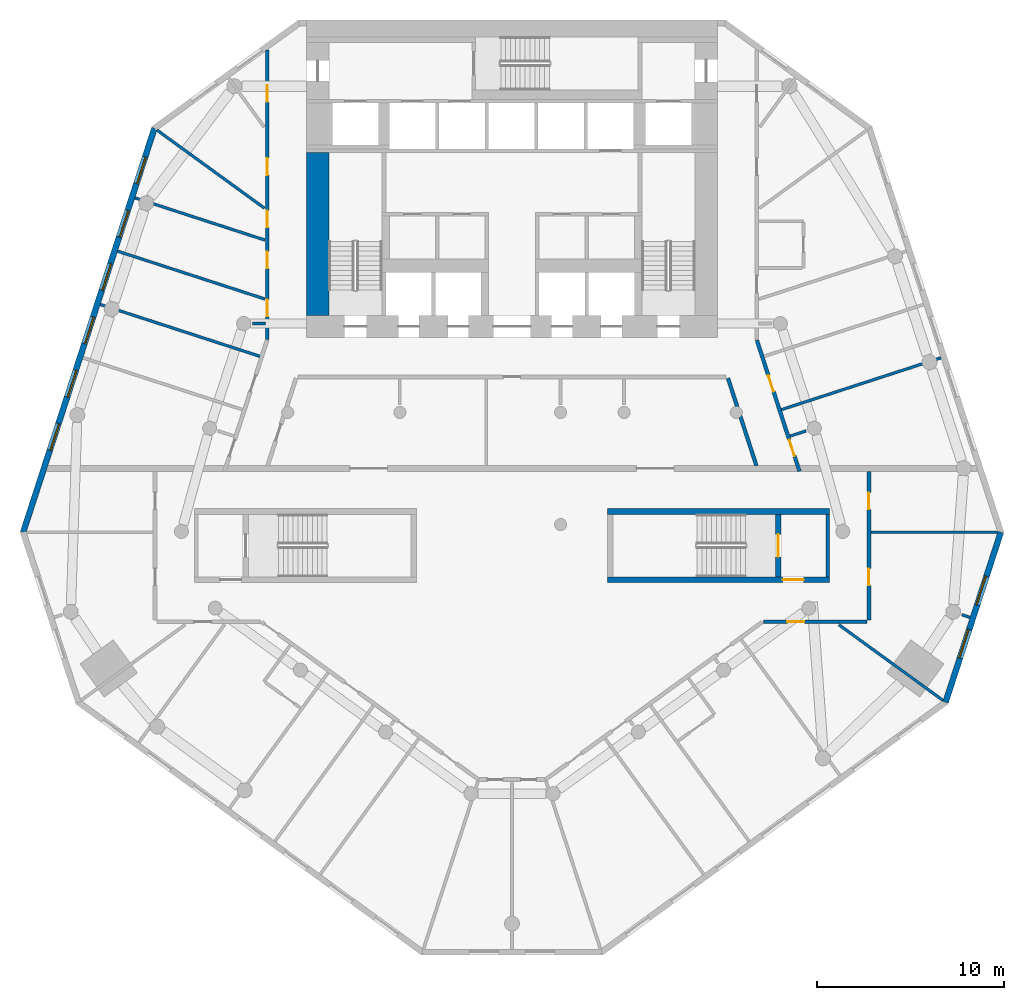
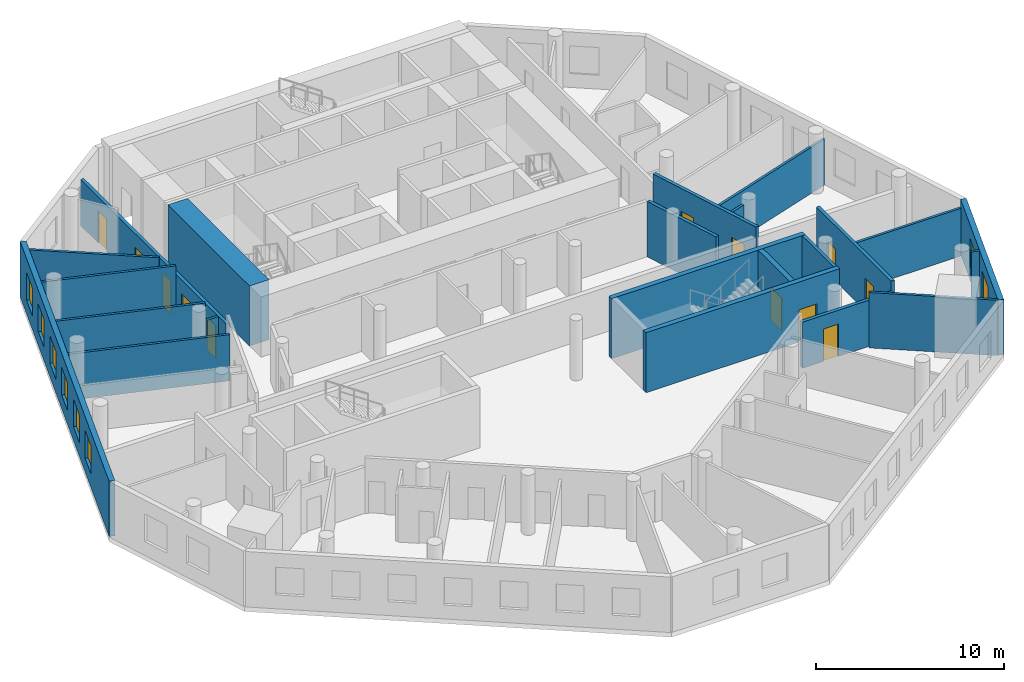
# One storey, part 4 of 9: 22 walls, 12 doors, 8 windows, 20 openings.
"""IFC4 building model written with IfcOpenShell, lengths in metres."""

from ifc_helpers import new_model, si_unit, direction, frame, frame_2d, origin, place, context, subcontext, project, spatial, rectangle, extrude, material, layer, layer_set, type_object, element, fill, save


model = new_model("IFC4")

# Units and contexts
model_context = context("Model", 3, precision=1e-05, world=origin(), true_north=direction((0.0, 1.0)))
body_context = subcontext(model_context, "Body", "Model", "MODEL_VIEW")
ifc_project = project(units=[si_unit("LENGTHUNIT", "METRE"), si_unit("AREAUNIT", "SQUARE_METRE"), si_unit("VOLUMEUNIT", "CUBIC_METRE"), si_unit("PLANEANGLEUNIT", "RADIAN"), si_unit("MASSUNIT", "GRAM", prefix="KILO")], contexts=[model_context])

# Site, building, storey
site_placement = place(None, origin())
site = spatial("IfcSite", under=ifc_project, at=site_placement, CompositionType="ELEMENT")
building_placement = place(site_placement, origin())
building = spatial("IfcBuilding", under=site, at=building_placement, Name="White Candle Pilgrim Tower", CompositionType="ELEMENT")
storey_placement = place(building_placement, frame((0.0, 0.0, 46.800048828125)))
storey = spatial("IfcBuildingStorey", under=building, at=storey_placement, Name="L08", CompositionType="ELEMENT", Elevation=46.800048828125)

# Wall
ifc_material_1 = material(Name="Concrete C70/85", Category="concrete")
ifc_layer_1 = layer(ifc_material_1, 0.199951171875)
ifc_layer_set_1 = layer_set([ifc_layer_1], Name="Core wall 200 mm Concrete C70/85")
wall_type_1 = type_object("IfcWallType", Name="Core wall 200 mm Concrete C70/85", PredefinedType="SHEAR", material=ifc_layer_set_1)
wall_1_placement = place(storey_placement, frame((86.89990234375, 58.199951171875, 0.0), z_axis=(0.0, 0.0, 1.0), x_axis=(0.0, 1.0, 0.0)))
element("IfcWall", 1, at=wall_1_placement, inside=storey, type_object=wall_type_1, Name="WL-L08-C08", PredefinedType="SHEAR", context=body_context, shape_type="SweptSolid", body=[
    extrude(rectangle(XDim=3.35009765625, YDim=0.199951171875, at=frame_2d((1.675048828125, 0.0))), origin(), (0.0, 0.0, 1.0), 3.89990234375),
])

# Wall, openings, doors
ifc_material_2 = material(Name="Gypsum board on steel studs", Category="steel")
ifc_layer_2 = layer(ifc_material_2, 0.199951171875)
ifc_layer_set_2 = layer_set([ifc_layer_2], Name="Corridor wall 200 mm EI 45")
wall_type_2 = type_object("IfcWallType", Name="Corridor wall 200 mm EI 45", PredefinedType="PARTITIONING", material=ifc_layer_set_2)
wall_2_placement = place(storey_placement, frame((56.89990234375, 70.8974609375, 0.0), z_axis=(0.0, 0.0, 1.0), x_axis=(0.0, 1.0, 0.0)))
wall_2 = element("IfcWall", 2, at=wall_2_placement, inside=storey, type_object=wall_type_2, Name="WL-L08-P003", PredefinedType="PARTITIONING", context=body_context, shape_type="SweptSolid", body=[
    extrude(rectangle(XDim=15.498779296875, YDim=0.199951171875, at=frame_2d((7.74951171875, 0.0))), origin(), (0.0, 0.0, 1.0), 3.0),
])
opening_1_placement = place(wall_2_placement, frame((1.242919921875, 0.0, 0.0)))
opening_1 = element("IfcOpeningElement", 3, at=opening_1_placement, cuts=wall_2, Name="Opening T02-122", PredefinedType="OPENING", context=body_context, shape_type="SweptSolid", body=[
    extrude(rectangle(XDim=0.89990234375, YDim=2.10009765625, at=frame_2d((0.449951171875, 1.050048828125))), frame((0.0, 0.10986328125, 0.0), z_axis=(0.0, -1.0, 0.0), x_axis=(1.0, 0.0, 0.0)), (0.0, 0.0, 1.0), 0.219970703125),
])
opening_2_placement = place(wall_2_placement, frame((3.813232421875, 0.0, 0.0)))
opening_2 = element("IfcOpeningElement", 4, at=opening_2_placement, cuts=wall_2, Name="Opening T02-123", PredefinedType="OPENING", context=body_context, shape_type="SweptSolid", body=[
    extrude(rectangle(XDim=0.89990234375, YDim=2.10009765625, at=frame_2d((0.449951171875, 1.050048828125))), frame((0.0, 0.10986328125, 0.0), z_axis=(0.0, -1.0, 0.0), x_axis=(1.0, 0.0, 0.0)), (0.0, 0.0, 1.0), 0.219970703125),
])
opening_3_placement = place(wall_2_placement, frame((6.005615234375, 0.0, 0.0)))
opening_3 = element("IfcOpeningElement", 5, at=opening_3_placement, cuts=wall_2, Name="Opening T02-124", PredefinedType="OPENING", context=body_context, shape_type="SweptSolid", body=[
    extrude(rectangle(XDim=0.89990234375, YDim=2.10009765625, at=frame_2d((0.449951171875, 1.050048828125))), frame((0.0, 0.10986328125, 0.0), z_axis=(0.0, -1.0, 0.0), x_axis=(1.0, 0.0, 0.0)), (0.0, 0.0, 1.0), 0.219970703125),
])
opening_4_placement = place(wall_2_placement, frame((8.80615234375, 0.0, 0.0)))
opening_4 = element("IfcOpeningElement", 6, at=opening_4_placement, cuts=wall_2, Name="Opening T02-125", PredefinedType="OPENING", context=body_context, shape_type="SweptSolid", body=[
    extrude(rectangle(XDim=0.89990234375, YDim=2.10009765625, at=frame_2d((0.449951171875, 1.050048828125))), frame((0.0, 0.10986328125, 0.0), z_axis=(0.0, -1.0, 0.0), x_axis=(1.0, 0.0, 0.0)), (0.0, 0.0, 1.0), 0.219970703125),
])
opening_5_placement = place(wall_2_placement, frame((12.72412109375, 0.0, 0.0)))
opening_5 = element("IfcOpeningElement", 7, at=opening_5_placement, cuts=wall_2, Name="Opening T02-126", PredefinedType="OPENING", context=body_context, shape_type="SweptSolid", body=[
    extrude(rectangle(XDim=0.89990234375, YDim=2.10009765625, at=frame_2d((0.449951171875, 1.050048828125))), frame((0.0, 0.10986328125, 0.0), z_axis=(0.0, -1.0, 0.0), x_axis=(1.0, 0.0, 0.0)), (0.0, 0.0, 1.0), 0.219970703125),
])
ifc_material_3 = material(Name="Steel door leaf", Category="steel")
door_type_1 = type_object("IfcDoorType", Name="Fire door 900 x 2100 EI 30", OperationType="NOTDEFINED", PredefinedType="DOOR", material=ifc_material_3)
door_1_placement = place(opening_1_placement, origin())
door_1 = element("IfcDoor", 8, at=door_1_placement, inside=storey, type_object=door_type_1, Name="Door T02-122", OperationType="SINGLE_SWING_RIGHT", OverallHeight=2.10009765625, OverallWidth=0.89990234375, PredefinedType="DOOR", context=body_context, shape_type="SweptSolid", body=[
    extrude(rectangle(XDim=0.89990234375, YDim=2.10009765625, at=frame_2d((0.449951171875, 1.050048828125))), frame((0.0, 0.02490234375, 0.0), z_axis=(0.0, -1.0, 0.0), x_axis=(1.0, 0.0, 0.0)), (0.0, 0.0, 1.0), 0.050048828125),
])
fill(opening_1, door_1)
door_2_placement = place(opening_2_placement, origin())
door_2 = element("IfcDoor", 9, at=door_2_placement, inside=storey, type_object=door_type_1, Name="Door T02-123", OperationType="SINGLE_SWING_LEFT", OverallHeight=2.10009765625, OverallWidth=0.89990234375, PredefinedType="DOOR", context=body_context, shape_type="SweptSolid", body=[
    extrude(rectangle(XDim=0.89990234375, YDim=2.10009765625, at=frame_2d((0.449951171875, 1.050048828125))), frame((0.0, 0.02490234375, 0.0), z_axis=(0.0, -1.0, 0.0), x_axis=(1.0, 0.0, 0.0)), (0.0, 0.0, 1.0), 0.050048828125),
])
fill(opening_2, door_2)
door_3_placement = place(opening_3_placement, origin())
door_3 = element("IfcDoor", 10, at=door_3_placement, inside=storey, type_object=door_type_1, Name="Door T02-124", OperationType="SINGLE_SWING_RIGHT", OverallHeight=2.10009765625, OverallWidth=0.89990234375, PredefinedType="DOOR", context=body_context, shape_type="SweptSolid", body=[
    extrude(rectangle(XDim=0.89990234375, YDim=2.10009765625, at=frame_2d((0.449951171875, 1.050048828125))), frame((0.0, 0.02490234375, 0.0), z_axis=(0.0, -1.0, 0.0), x_axis=(1.0, 0.0, 0.0)), (0.0, 0.0, 1.0), 0.050048828125),
])
fill(opening_3, door_3)
door_4_placement = place(opening_4_placement, origin())
door_4 = element("IfcDoor", 11, at=door_4_placement, inside=storey, type_object=door_type_1, Name="Door T02-125", OperationType="SINGLE_SWING_LEFT", OverallHeight=2.10009765625, OverallWidth=0.89990234375, PredefinedType="DOOR", context=body_context, shape_type="SweptSolid", body=[
    extrude(rectangle(XDim=0.89990234375, YDim=2.10009765625, at=frame_2d((0.449951171875, 1.050048828125))), frame((0.0, 0.02490234375, 0.0), z_axis=(0.0, -1.0, 0.0), x_axis=(1.0, 0.0, 0.0)), (0.0, 0.0, 1.0), 0.050048828125),
])
fill(opening_4, door_4)
door_5_placement = place(opening_5_placement, origin())
door_5 = element("IfcDoor", 12, at=door_5_placement, inside=storey, type_object=door_type_1, Name="Door T02-126", OperationType="SINGLE_SWING_RIGHT", OverallHeight=2.10009765625, OverallWidth=0.89990234375, PredefinedType="DOOR", context=body_context, shape_type="SweptSolid", body=[
    extrude(rectangle(XDim=0.89990234375, YDim=2.10009765625, at=frame_2d((0.449951171875, 1.050048828125))), frame((0.0, 0.02490234375, 0.0), z_axis=(0.0, -1.0, 0.0), x_axis=(1.0, 0.0, 0.0)), (0.0, 0.0, 1.0), 0.050048828125),
])
fill(opening_5, door_5)

wall_3_placement = place(storey_placement, frame((83.10498046875, 70.866455078125, 0.0), z_axis=(0.0, 0.0, 1.0), x_axis=(0.309020970938, -0.951055224222, 0.0)))
wall_3 = element("IfcWall", 13, at=wall_3_placement, inside=storey, type_object=wall_type_2, Name="WL-L08-P005", PredefinedType="PARTITIONING", context=body_context, shape_type="SweptSolid", body=[
    extrude(rectangle(XDim=7.37744140625, YDim=0.199951171875, at=frame_2d((3.688720703125, 0.0))), origin(), (0.0, 0.0, 1.0), 3.599853515625),
])
opening_6_placement = place(wall_3_placement, frame((1.990966796875, 0.0, 0.0)))
opening_6 = element("IfcOpeningElement", 14, at=opening_6_placement, cuts=wall_3, Name="Opening T02-130", PredefinedType="OPENING", context=body_context, shape_type="SweptSolid", body=[
    extrude(rectangle(XDim=0.89990234375, YDim=2.10009765625, at=frame_2d((0.449951171875, 1.050048828125))), frame((0.0, 0.10986328125, 0.0), z_axis=(0.0, -1.0, 0.0), x_axis=(1.0, 0.0, 0.0)), (0.0, 0.0, 1.0), 0.219970703125),
])
opening_7_placement = place(wall_3_placement, frame((5.619140625, 0.0, 0.0)))
opening_7 = element("IfcOpeningElement", 15, at=opening_7_placement, cuts=wall_3, Name="Opening T02-131", PredefinedType="OPENING", context=body_context, shape_type="SweptSolid", body=[
    extrude(rectangle(XDim=0.89990234375, YDim=2.10009765625, at=frame_2d((0.449951171875, 1.050048828125))), frame((0.0, 0.10986328125, 0.0), z_axis=(0.0, -1.0, 0.0), x_axis=(1.0, 0.0, 0.0)), (0.0, 0.0, 1.0), 0.219970703125),
])
door_6_placement = place(opening_6_placement, origin())
door_6 = element("IfcDoor", 16, at=door_6_placement, inside=storey, type_object=door_type_1, Name="Door T02-130", OperationType="SINGLE_SWING_RIGHT", OverallHeight=2.10009765625, OverallWidth=0.89990234375, PredefinedType="DOOR", context=body_context, shape_type="SweptSolid", body=[
    extrude(rectangle(XDim=0.89990234375, YDim=2.10009765625, at=frame_2d((0.449951171875, 1.050048828125))), frame((0.0, 0.02490234375, 0.0), z_axis=(0.0, -1.0, 0.0), x_axis=(1.0, 0.0, 0.0)), (0.0, 0.0, 1.0), 0.050048828125),
])
fill(opening_6, door_6)
door_7_placement = place(opening_7_placement, origin())
door_7 = element("IfcDoor", 17, at=door_7_placement, inside=storey, type_object=door_type_1, Name="Door T02-131", OperationType="SINGLE_SWING_LEFT", OverallHeight=2.10009765625, OverallWidth=0.89990234375, PredefinedType="DOOR", context=body_context, shape_type="SweptSolid", body=[
    extrude(rectangle(XDim=0.89990234375, YDim=2.10009765625, at=frame_2d((0.449951171875, 1.050048828125))), frame((0.0, 0.02490234375, 0.0), z_axis=(0.0, -1.0, 0.0), x_axis=(1.0, 0.0, 0.0)), (0.0, 0.0, 1.0), 0.050048828125),
])
fill(opening_7, door_7)

wall_4_placement = place(storey_placement, frame((89.10009765625, 63.85009765625, 0.0), z_axis=(0.0, 0.0, 1.0), x_axis=(0.0, -1.0, 0.0)))
wall_4 = element("IfcWall", 18, at=wall_4_placement, inside=storey, type_object=wall_type_2, Name="WL-L08-P006", PredefinedType="PARTITIONING", context=body_context, shape_type="SweptSolid", body=[
    extrude(rectangle(XDim=7.9501953125, YDim=0.199951171875, at=frame_2d((3.97509765625, 0.0))), origin(), (0.0, 0.0, 1.0), 3.599853515625),
])
opening_8_placement = place(wall_4_placement, frame((5.204345703125, 0.0, 0.0)))
opening_8 = element("IfcOpeningElement", 19, at=opening_8_placement, cuts=wall_4, Name="Opening T02-115", PredefinedType="OPENING", context=body_context, shape_type="SweptSolid", body=[
    extrude(rectangle(XDim=0.89990234375, YDim=2.10009765625, at=frame_2d((0.449951171875, 1.050048828125))), frame((0.0, 0.10986328125, 0.0), z_axis=(0.0, -1.0, 0.0), x_axis=(1.0, 0.0, 0.0)), (0.0, 0.0, 1.0), 0.219970703125),
])
opening_9_placement = place(wall_4_placement, frame((1.141845703125, 0.0, 0.0)))
opening_9 = element("IfcOpeningElement", 20, at=opening_9_placement, cuts=wall_4, Name="Opening T02-132", PredefinedType="OPENING", context=body_context, shape_type="SweptSolid", body=[
    extrude(rectangle(XDim=0.89990234375, YDim=2.10009765625, at=frame_2d((0.449951171875, 1.050048828125))), frame((0.0, 0.10986328125, 0.0), z_axis=(0.0, -1.0, 0.0), x_axis=(1.0, 0.0, 0.0)), (0.0, 0.0, 1.0), 0.219970703125),
])
door_8_placement = place(opening_8_placement, origin())
door_8 = element("IfcDoor", 21, at=door_8_placement, inside=storey, type_object=door_type_1, Name="Door T02-115", OperationType="SINGLE_SWING_LEFT", OverallHeight=2.10009765625, OverallWidth=0.89990234375, PredefinedType="DOOR", context=body_context, shape_type="SweptSolid", body=[
    extrude(rectangle(XDim=0.89990234375, YDim=2.10009765625, at=frame_2d((0.449951171875, 1.050048828125))), frame((0.0, 0.02490234375, 0.0), z_axis=(0.0, -1.0, 0.0), x_axis=(1.0, 0.0, 0.0)), (0.0, 0.0, 1.0), 0.050048828125),
])
fill(opening_8, door_8)
door_9_placement = place(opening_9_placement, origin())
door_9 = element("IfcDoor", 22, at=door_9_placement, inside=storey, type_object=door_type_1, Name="Door T02-132", OperationType="SINGLE_SWING_RIGHT", OverallHeight=2.10009765625, OverallWidth=0.89990234375, PredefinedType="DOOR", context=body_context, shape_type="SweptSolid", body=[
    extrude(rectangle(XDim=0.89990234375, YDim=2.10009765625, at=frame_2d((0.449951171875, 1.050048828125))), frame((0.0, 0.02490234375, 0.0), z_axis=(0.0, -1.0, 0.0), x_axis=(1.0, 0.0, 0.0)), (0.0, 0.0, 1.0), 0.050048828125),
])
fill(opening_9, door_9)

# Wall, opening, door
wall_5_placement = place(storey_placement, frame((89.0, 55.800048828125, 0.0), z_axis=(0.0, 0.0, 1.0), x_axis=(-1.0, 0.0, 0.0)))
wall_5 = element("IfcWall", 23, at=wall_5_placement, inside=storey, type_object=wall_type_2, Name="WL-L08-P007", PredefinedType="PARTITIONING", context=body_context, shape_type="SweptSolid", body=[
    extrude(rectangle(XDim=5.55419921875, YDim=0.199951171875, at=frame_2d((2.777099609375, 0.0))), origin(), (0.0, 0.0, 1.0), 3.0),
])
opening_10_placement = place(wall_5_placement, frame((3.35791015625, 0.0, 0.0)))
opening_10 = element("IfcOpeningElement", 24, at=opening_10_placement, cuts=wall_5, Name="Opening T02-114", PredefinedType="OPENING", context=body_context, shape_type="SweptSolid", body=[
    extrude(rectangle(XDim=0.89990234375, YDim=2.10009765625, at=frame_2d((0.449951171875, 1.050048828125))), frame((0.0, 0.10986328125, 0.0), z_axis=(0.0, -1.0, 0.0), x_axis=(1.0, 0.0, 0.0)), (0.0, 0.0, 1.0), 0.219970703125),
])
door_10_placement = place(opening_10_placement, origin())
door_10 = element("IfcDoor", 25, at=door_10_placement, inside=storey, type_object=door_type_1, Name="Door T02-114", OperationType="SINGLE_SWING_RIGHT", OverallHeight=2.10009765625, OverallWidth=0.89990234375, PredefinedType="DOOR", context=body_context, shape_type="SweptSolid", body=[
    extrude(rectangle(XDim=0.89990234375, YDim=2.10009765625, at=frame_2d((0.449951171875, 1.050048828125))), frame((0.0, 0.02490234375, 0.0), z_axis=(0.0, -1.0, 0.0), x_axis=(1.0, 0.0, 0.0)), (0.0, 0.0, 1.0), 0.050048828125),
])
fill(opening_10, door_10)

# Wall
wall_6_placement = place(storey_placement, frame((83.0791015625, 64.14990234375, 0.0), z_axis=(0.0, 0.0, 1.0), x_axis=(-0.309031112369, 0.951051928965, 0.0)))
element("IfcWall", 26, at=wall_6_placement, inside=storey, type_object=wall_type_2, Name="WL-L08-P015", PredefinedType="PARTITIONING", context=body_context, shape_type="SweptSolid", body=[
    extrude(rectangle(XDim=4.921875, YDim=0.199951171875, at=frame_2d((2.4609375, 0.0))), origin(), (0.0, 0.0, 1.0), 3.599853515625),
])

# Wall, openings, windows
ifc_material_4 = material(Name="Precast concrete C40/50", Category="concrete")
ifc_layer_3 = layer(ifc_material_4, 0.320068359375)
ifc_layer_set_3 = layer_set([ifc_layer_3], Name="Facade wall EW1 precast concrete C40/50 pier wall with timber-lined reveals")
wall_type_3 = type_object("IfcWallType", Name="Facade wall EW1 precast concrete C40/50 pier wall with timber-lined reveals", PredefinedType="SOLIDWALL", material=ifc_layer_set_3)
wall_7_placement = place(storey_placement, frame((93.2021484375, 51.49072265625, 0.0), z_axis=(0.0, 0.0, 1.0), x_axis=(0.309023765379, 0.951054316236, 0.0)))
wall_7 = element("IfcWall", 27, at=wall_7_placement, inside=storey, type_object=wall_type_3, Name="Facade wall L08 E chamfer", PredefinedType="SOLIDWALL", context=body_context, shape_type="SweptSolid", body=[
    extrude(rectangle(XDim=9.56884765625, YDim=0.320068359375, at=frame_2d((4.784423828125, 0.0))), origin(), (0.0, 0.0, 1.0), 3.599853515625),
])
opening_11_placement = place(wall_7_placement, frame((2.484375, 0.0, 0.89990234375)))
opening_11 = element("IfcOpeningElement", 28, at=opening_11_placement, cuts=wall_7, Name="Opening W2", PredefinedType="OPENING", context=body_context, shape_type="SweptSolid", body=[
    extrude(rectangle(XDim=1.60009765625, YDim=1.800048828125, at=frame_2d((0.800048828125, 0.89990234375))), frame((0.0, 0.169921875, 0.0), z_axis=(0.0, -1.0, 0.0), x_axis=(1.0, 0.0, 0.0)), (0.0, 0.0, 1.0), 0.340087890625),
])
opening_12_placement = place(wall_7_placement, frame((5.484375, 0.0, 0.89990234375)))
opening_12 = element("IfcOpeningElement", 29, at=opening_12_placement, cuts=wall_7, Name="Opening W2", PredefinedType="OPENING", context=body_context, shape_type="SweptSolid", body=[
    extrude(rectangle(XDim=1.60009765625, YDim=1.800048828125, at=frame_2d((0.800048828125, 0.89990234375))), frame((0.0, 0.169921875, 0.0), z_axis=(0.0, -1.0, 0.0), x_axis=(1.0, 0.0, 0.0)), (0.0, 0.0, 1.0), 0.340087890625),
])
ifc_material_5 = material(Name="Timber frame with triple glazing", Category="wood")
window_type_1 = type_object("IfcWindowType", Name="Window W2 1600x1800 timber frame triple glazing", PartitioningType="SINGLE_PANEL", PredefinedType="WINDOW", material=ifc_material_5)
window_1_placement = place(opening_11_placement, origin())
window_1 = element("IfcWindow", 30, at=window_1_placement, inside=storey, type_object=window_type_1, Name="Window W2 L08 E chamfer 1", OverallHeight=1.800048828125, OverallWidth=1.60009765625, PartitioningType="SINGLE_PANEL", PredefinedType="WINDOW", context=body_context, shape_type="SweptSolid", body=[
    extrude(rectangle(XDim=1.60009765625, YDim=1.800048828125, at=frame_2d((0.800048828125, 0.89990234375))), frame((0.0, 0.070068359375, 0.0), z_axis=(0.0, -1.0, 0.0), x_axis=(1.0, 0.0, 0.0)), (0.0, 0.0, 1.0), 0.06005859375),
])
fill(opening_11, window_1)
window_2_placement = place(opening_12_placement, origin())
window_2 = element("IfcWindow", 31, at=window_2_placement, inside=storey, type_object=window_type_1, Name="Window W2 L08 E chamfer 2", OverallHeight=1.800048828125, OverallWidth=1.60009765625, PartitioningType="SINGLE_PANEL", PredefinedType="WINDOW", context=body_context, shape_type="SweptSolid", body=[
    extrude(rectangle(XDim=1.60009765625, YDim=1.800048828125, at=frame_2d((0.800048828125, 0.89990234375))), frame((0.0, 0.070068359375, 0.0), z_axis=(0.0, -1.0, 0.0), x_axis=(1.0, 0.0, 0.0)), (0.0, 0.0, 1.0), 0.06005859375),
])
fill(opening_12, window_2)

wall_8_placement = place(storey_placement, frame((50.864990234375, 82.20947265625, 0.0), z_axis=(0.0, 0.0, 1.0), x_axis=(-0.309017098694, -0.9510564824, 0.0)))
wall_8 = element("IfcWall", 32, at=wall_8_placement, inside=storey, type_object=wall_type_3, Name="Facade wall L08 WNW", PredefinedType="SOLIDWALL", context=body_context, shape_type="SweptSolid", body=[
    extrude(rectangle(XDim=22.730712890625, YDim=0.320068359375, at=frame_2d((11.365234375, 0.0))), origin(), (0.0, 0.0, 1.0), 3.599853515625),
])
opening_13_placement = place(wall_8_placement, frame((1.615478515625, 0.0, 0.89990234375)))
opening_13 = element("IfcOpeningElement", 33, at=opening_13_placement, cuts=wall_8, Name="Opening W1", PredefinedType="OPENING", context=body_context, shape_type="SweptSolid", body=[
    extrude(rectangle(XDim=1.5, YDim=1.800048828125, at=frame_2d((0.75, 0.89990234375))), frame((0.0, 0.169921875, 0.0), z_axis=(0.0, -1.0, 0.0), x_axis=(1.0, 0.0, 0.0)), (0.0, 0.0, 1.0), 0.340087890625),
])
opening_14_placement = place(wall_8_placement, frame((4.615478515625, 0.0, 0.89990234375)))
opening_14 = element("IfcOpeningElement", 34, at=opening_14_placement, cuts=wall_8, Name="Opening W1", PredefinedType="OPENING", context=body_context, shape_type="SweptSolid", body=[
    extrude(rectangle(XDim=1.5, YDim=1.800048828125, at=frame_2d((0.75, 0.89990234375))), frame((0.0, 0.169921875, 0.0), z_axis=(0.0, -1.0, 0.0), x_axis=(1.0, 0.0, 0.0)), (0.0, 0.0, 1.0), 0.340087890625),
])
opening_15_placement = place(wall_8_placement, frame((7.615478515625, 0.0, 0.89990234375)))
opening_15 = element("IfcOpeningElement", 35, at=opening_15_placement, cuts=wall_8, Name="Opening W1", PredefinedType="OPENING", context=body_context, shape_type="SweptSolid", body=[
    extrude(rectangle(XDim=1.5, YDim=1.800048828125, at=frame_2d((0.75, 0.89990234375))), frame((0.0, 0.169921875, 0.0), z_axis=(0.0, -1.0, 0.0), x_axis=(1.0, 0.0, 0.0)), (0.0, 0.0, 1.0), 0.340087890625),
])
opening_16_placement = place(wall_8_placement, frame((10.615478515625, 0.0, 0.89990234375)))
opening_16 = element("IfcOpeningElement", 36, at=opening_16_placement, cuts=wall_8, Name="Opening W1", PredefinedType="OPENING", context=body_context, shape_type="SweptSolid", body=[
    extrude(rectangle(XDim=1.5, YDim=1.800048828125, at=frame_2d((0.75, 0.89990234375))), frame((0.0, 0.169921875, 0.0), z_axis=(0.0, -1.0, 0.0), x_axis=(1.0, 0.0, 0.0)), (0.0, 0.0, 1.0), 0.340087890625),
])
opening_17_placement = place(wall_8_placement, frame((13.615478515625, 0.0, 0.89990234375)))
opening_17 = element("IfcOpeningElement", 37, at=opening_17_placement, cuts=wall_8, Name="Opening W1", PredefinedType="OPENING", context=body_context, shape_type="SweptSolid", body=[
    extrude(rectangle(XDim=1.5, YDim=1.800048828125, at=frame_2d((0.75, 0.89990234375))), frame((0.0, 0.169921875, 0.0), z_axis=(0.0, -1.0, 0.0), x_axis=(1.0, 0.0, 0.0)), (0.0, 0.0, 1.0), 0.340087890625),
])
opening_18_placement = place(wall_8_placement, frame((16.615478515625, 0.0, 0.89990234375)))
opening_18 = element("IfcOpeningElement", 38, at=opening_18_placement, cuts=wall_8, Name="Opening W1", PredefinedType="OPENING", context=body_context, shape_type="SweptSolid", body=[
    extrude(rectangle(XDim=1.5, YDim=1.800048828125, at=frame_2d((0.75, 0.89990234375))), frame((0.0, 0.169921875, 0.0), z_axis=(0.0, -1.0, 0.0), x_axis=(1.0, 0.0, 0.0)), (0.0, 0.0, 1.0), 0.340087890625),
])
window_type_2 = type_object("IfcWindowType", Name="Window W1 1500x1800 timber frame triple glazing", PartitioningType="SINGLE_PANEL", PredefinedType="WINDOW", material=ifc_material_5)
window_3_placement = place(opening_13_placement, origin())
window_3 = element("IfcWindow", 39, at=window_3_placement, inside=storey, type_object=window_type_2, Name="Window W1 L08 WNW 1", OverallHeight=1.800048828125, OverallWidth=1.5, PartitioningType="SINGLE_PANEL", PredefinedType="WINDOW", context=body_context, shape_type="SweptSolid", body=[
    extrude(rectangle(XDim=1.5, YDim=1.800048828125, at=frame_2d((0.75, 0.89990234375))), frame((0.0, 0.070068359375, 0.0), z_axis=(0.0, -1.0, 0.0), x_axis=(1.0, 0.0, 0.0)), (0.0, 0.0, 1.0), 0.06005859375),
])
fill(opening_13, window_3)
window_4_placement = place(opening_14_placement, origin())
window_4 = element("IfcWindow", 40, at=window_4_placement, inside=storey, type_object=window_type_2, Name="Window W1 L08 WNW 2", OverallHeight=1.800048828125, OverallWidth=1.5, PartitioningType="SINGLE_PANEL", PredefinedType="WINDOW", context=body_context, shape_type="SweptSolid", body=[
    extrude(rectangle(XDim=1.5, YDim=1.800048828125, at=frame_2d((0.75, 0.89990234375))), frame((0.0, 0.070068359375, 0.0), z_axis=(0.0, -1.0, 0.0), x_axis=(1.0, 0.0, 0.0)), (0.0, 0.0, 1.0), 0.06005859375),
])
fill(opening_14, window_4)
window_5_placement = place(opening_15_placement, origin())
window_5 = element("IfcWindow", 41, at=window_5_placement, inside=storey, type_object=window_type_2, Name="Window W1 L08 WNW 3", OverallHeight=1.800048828125, OverallWidth=1.5, PartitioningType="SINGLE_PANEL", PredefinedType="WINDOW", context=body_context, shape_type="SweptSolid", body=[
    extrude(rectangle(XDim=1.5, YDim=1.800048828125, at=frame_2d((0.75, 0.89990234375))), frame((0.0, 0.070068359375, 0.0), z_axis=(0.0, -1.0, 0.0), x_axis=(1.0, 0.0, 0.0)), (0.0, 0.0, 1.0), 0.06005859375),
])
fill(opening_15, window_5)
window_6_placement = place(opening_16_placement, origin())
window_6 = element("IfcWindow", 42, at=window_6_placement, inside=storey, type_object=window_type_2, Name="Window W1 L08 WNW 4", OverallHeight=1.800048828125, OverallWidth=1.5, PartitioningType="SINGLE_PANEL", PredefinedType="WINDOW", context=body_context, shape_type="SweptSolid", body=[
    extrude(rectangle(XDim=1.5, YDim=1.800048828125, at=frame_2d((0.75, 0.89990234375))), frame((0.0, 0.070068359375, 0.0), z_axis=(0.0, -1.0, 0.0), x_axis=(1.0, 0.0, 0.0)), (0.0, 0.0, 1.0), 0.06005859375),
])
fill(opening_16, window_6)
window_7_placement = place(opening_17_placement, origin())
window_7 = element("IfcWindow", 43, at=window_7_placement, inside=storey, type_object=window_type_2, Name="Window W1 L08 WNW 5", OverallHeight=1.800048828125, OverallWidth=1.5, PartitioningType="SINGLE_PANEL", PredefinedType="WINDOW", context=body_context, shape_type="SweptSolid", body=[
    extrude(rectangle(XDim=1.5, YDim=1.800048828125, at=frame_2d((0.75, 0.89990234375))), frame((0.0, 0.070068359375, 0.0), z_axis=(0.0, -1.0, 0.0), x_axis=(1.0, 0.0, 0.0)), (0.0, 0.0, 1.0), 0.06005859375),
])
fill(opening_17, window_7)
window_8_placement = place(opening_18_placement, origin())
window_8 = element("IfcWindow", 44, at=window_8_placement, inside=storey, type_object=window_type_2, Name="Window W1 L08 WNW 6", OverallHeight=1.800048828125, OverallWidth=1.5, PartitioningType="SINGLE_PANEL", PredefinedType="WINDOW", context=body_context, shape_type="SweptSolid", body=[
    extrude(rectangle(XDim=1.5, YDim=1.800048828125, at=frame_2d((0.75, 0.89990234375))), frame((0.0, 0.070068359375, 0.0), z_axis=(0.0, -1.0, 0.0), x_axis=(1.0, 0.0, 0.0)), (0.0, 0.0, 1.0), 0.06005859375),
])
fill(opening_18, window_8)

# Walls
ifc_layer_4 = layer(ifc_material_2, 0.14990234375)
ifc_layer_set_4 = layer_set([ifc_layer_4], Name="Partition 150 mm EI 60")
wall_type_4 = type_object("IfcWallType", Name="Partition 150 mm EI 60", PredefinedType="PARTITIONING", material=ifc_layer_set_4)
wall_9_placement = place(storey_placement, frame((51.001220703125, 82.110595703125, 0.0), z_axis=(0.0, 0.0, 1.0), x_axis=(0.809006123185, -0.587800214911, 0.0)))
element("IfcWall", 45, at=wall_9_placement, inside=storey, type_object=wall_type_4, Name="WL-L08-P016", PredefinedType="PARTITIONING", context=body_context, shape_type="SweptSolid", body=[
    extrude(rectangle(XDim=7.11328125, YDim=0.14990234375, at=frame_2d((3.556640625, 0.0))), origin(), (0.0, 0.0, 1.0), 3.099853515625),
])
wall_10_placement = place(storey_placement, frame((93.06591796875, 51.589599609375, 0.0), z_axis=(0.0, 0.0, 1.0), x_axis=(-0.809011812166, 0.587792384925, 0.0)))
element("IfcWall", 46, at=wall_10_placement, inside=storey, type_object=wall_type_4, Name="WL-L08-P021", PredefinedType="PARTITIONING", context=body_context, shape_type="SweptSolid", body=[
    extrude(rectangle(XDim=6.889892578125, YDim=0.14990234375, at=frame_2d((3.44482421875, 0.0))), origin(), (0.0, 0.0, 1.0), 3.599853515625),
])
wall_11_placement = place(storey_placement, frame((95.99072265625, 60.59130859375, 0.0), z_axis=(0.0, 0.0, 1.0), x_axis=(-1.0, 0.0, 0.0)))
element("IfcWall", 47, at=wall_11_placement, inside=storey, type_object=wall_type_4, Name="WL-L08-P022", PredefinedType="PARTITIONING", context=body_context, shape_type="SweptSolid", body=[
    extrude(rectangle(XDim=6.790771484375, YDim=0.14990234375, at=frame_2d((3.3955078125, 0.0))), origin(), (0.0, 0.0, 1.0), 3.099853515625),
])
wall_12_placement = place(storey_placement, frame((49.82275390625, 78.48388671875, 0.0), z_axis=(0.0, 0.0, 1.0), x_axis=(0.951056640207, -0.309016613015, 0.0)))
element("IfcWall", 48, at=wall_12_placement, inside=storey, type_object=wall_type_4, Name="WL-L08-P025", PredefinedType="PARTITIONING", context=body_context, shape_type="SweptSolid", body=[
    extrude(rectangle(XDim=7.31201171875, YDim=0.14990234375, at=frame_2d((3.656005859375, 0.0))), origin(), (0.0, 0.0, 1.0), 3.599853515625),
])
wall_13_placement = place(storey_placement, frame((48.895751953125, 75.630615234375, 0.0), z_axis=(0.0, 0.0, 1.0), x_axis=(0.95105420195, -0.309024117105, 0.0)))
element("IfcWall", 49, at=wall_13_placement, inside=storey, type_object=wall_type_4, Name="WL-L08-P026", PredefinedType="PARTITIONING", context=body_context, shape_type="SweptSolid", body=[
    extrude(rectangle(XDim=8.28662109375, YDim=0.14990234375, at=frame_2d((4.143310546875, 0.0))), origin(), (0.0, 0.0, 1.0), 3.099853515625),
])
for number, where, z_axis, x_axis, name in (
    (50, (47.96875, 72.777587890625, 0.0), (0.0, 0.0, 1.0), (0.951051249243, -0.309033204224, 0.0), "WL-L08-P027"),
    (51, (92.958251953125, 69.92431640625, 0.0), (0.0, 0.0, 1.0), (-0.951059239389, -0.309008613427, 0.0), "WL-L08-P041"),
):
    element("IfcWall", number, at=place(storey_placement, frame(where, z_axis=z_axis, x_axis=x_axis)), inside=storey, type_object=wall_type_4, Name=name, PredefinedType="PARTITIONING", context=body_context, shape_type="SweptSolid", body=[
        extrude(rectangle(XDim=8.97998046875, YDim=0.14990234375, at=frame_2d((4.489990234375, 0.0))), origin(), (0.0, 0.0, 1.0), 3.0),
    ])
wall_14_placement = place(storey_placement, frame((94.07470703125, 56.1748046875, 0.0), z_axis=(0.0, 0.0, 1.0), x_axis=(0.951108522522, -0.308856889815, 0.0)))
element("IfcWall", 52, at=wall_14_placement, inside=storey, type_object=wall_type_4, Name="WL-L08-P050", PredefinedType="PARTITIONING", context=body_context, shape_type="SweptSolid", body=[
    extrude(rectangle(XDim=0.457763671875, YDim=0.14990234375, at=frame_2d((0.22900390625, 0.0))), origin(), (0.0, 0.0, 1.0), 3.599853515625),
])
wall_15_placement = place(storey_placement, frame((85.739013671875, 66.012939453125, 0.0), z_axis=(0.0, 0.0, 1.0), x_axis=(-0.951055863971, -0.309019002016, 0.0)))
element("IfcWall", 53, at=wall_15_placement, inside=storey, type_object=wall_type_4, Name="WL-L08-P054", PredefinedType="PARTITIONING", context=body_context, shape_type="SweptSolid", body=[
    extrude(rectangle(XDim=0.905517578125, YDim=0.14990234375, at=frame_2d((0.45263671875, 0.0))), origin(), (0.0, 0.0, 1.0), 3.599853515625),
])
wall_16_placement = place(storey_placement, frame((56.10498046875, 71.76220703125, 0.0), z_axis=(0.0, 0.0, 1.0), x_axis=(1.0, 0.0, 0.0)))
element("IfcWall", 54, at=wall_16_placement, inside=storey, type_object=wall_type_4, Name="WL-L08-P056", PredefinedType="PARTITIONING", context=body_context, shape_type="SweptSolid", body=[
    extrude(rectangle(XDim=0.695068359375, YDim=0.14990234375, at=frame_2d((0.34765625, 0.0))), origin(), (0.0, 0.0, 1.0), 3.0),
])
ifc_layer_5 = layer(ifc_material_1, 1.199951171875)
ifc_layer_set_5 = layer_set([ifc_layer_5], Name="Stair shaft wall 1200 mm Concrete C70/85")
wall_type_5 = type_object("IfcWallType", Name="Stair shaft wall 1200 mm Concrete C70/85", PredefinedType="SHEAR", material=ifc_layer_set_5)
wall_17_placement = place(storey_placement, frame((59.60009765625, 72.199951171875, 0.0), z_axis=(0.0, 0.0, 1.0), x_axis=(0.0, 1.0, 0.0)))
element("IfcWall", 55, at=wall_17_placement, inside=storey, type_object=wall_type_5, Name="WL-L08-C12", PredefinedType="SHEAR", context=body_context, shape_type="SweptSolid", body=[
    extrude(rectangle(XDim=8.699951171875, YDim=1.199951171875, at=frame_2d((4.35009765625, 0.0))), origin(), (0.0, 0.0, 1.0), 3.89990234375),
])

# Wall, opening, door
ifc_layer_6 = layer(ifc_material_1, 0.300048828125)
ifc_layer_set_6 = layer_set([ifc_layer_6], Name="Stair shaft wall 300 mm Concrete C70/85")
wall_type_6 = type_object("IfcWallType", Name="Stair shaft wall 300 mm Concrete C70/85", PredefinedType="SHEAR", material=ifc_layer_set_6)
wall_18_placement = place(storey_placement, frame((75.10009765625, 58.050048828125, 0.0), z_axis=(0.0, 0.0, 1.0), x_axis=(1.0, 0.0, 0.0)))
wall_18 = element("IfcWall", 56, at=wall_18_placement, inside=storey, type_object=wall_type_6, Name="WL-L08-C02", PredefinedType="SHEAR", context=body_context, shape_type="SweptSolid", body=[
    extrude(rectangle(XDim=11.89990234375, YDim=0.300048828125, at=frame_2d((5.949951171875, 0.0))), origin(), (0.0, 0.0, 1.0), 3.89990234375),
])
opening_19_placement = place(wall_18_placement, frame((9.39990234375, 0.0, 0.0)))
opening_19 = element("IfcOpeningElement", 57, at=opening_19_placement, cuts=wall_18, Name="Opening T02-009", PredefinedType="OPENING", context=body_context, shape_type="SweptSolid", body=[
    extrude(rectangle(XDim=1.10009765625, YDim=2.10009765625, at=frame_2d((0.550048828125, 1.050048828125))), frame((0.0, 0.159912109375, 0.0), z_axis=(0.0, -1.0, 0.0), x_axis=(1.0, 0.0, 0.0)), (0.0, 0.0, 1.0), 0.320068359375),
])
door_type_2 = type_object("IfcDoorType", Name="Fire door 1100 x 2100 EI 60", OperationType="NOTDEFINED", PredefinedType="DOOR", material=ifc_material_3)
door_11_placement = place(opening_19_placement, origin())
door_11 = element("IfcDoor", 58, at=door_11_placement, inside=storey, type_object=door_type_2, Name="Door T02-009", OperationType="SINGLE_SWING_LEFT", OverallHeight=2.10009765625, OverallWidth=1.10009765625, PredefinedType="DOOR", context=body_context, shape_type="SweptSolid", body=[
    extrude(rectangle(XDim=1.10009765625, YDim=2.10009765625, at=frame_2d((0.550048828125, 1.050048828125))), frame((0.0, 0.02490234375, 0.0), z_axis=(0.0, -1.0, 0.0), x_axis=(1.0, 0.0, 0.0)), (0.0, 0.0, 1.0), 0.050048828125),
])
fill(opening_19, door_11)

wall_19_placement = place(storey_placement, frame((84.25, 58.199951171875, 0.0), z_axis=(0.0, 0.0, 1.0), x_axis=(0.0, 1.0, 0.0)))
wall_19 = element("IfcWall", 59, at=wall_19_placement, inside=storey, type_object=wall_type_6, Name="WL-L08-C07", PredefinedType="SHEAR", context=body_context, shape_type="SweptSolid", body=[
    extrude(rectangle(XDim=3.35009765625, YDim=0.300048828125, at=frame_2d((1.675048828125, 0.0))), origin(), (0.0, 0.0, 1.0), 3.89990234375),
])
opening_20_placement = place(wall_19_placement, frame((1.074951171875, 0.0, 0.0)))
opening_20 = element("IfcOpeningElement", 60, at=opening_20_placement, cuts=wall_19, Name="Opening T02-010", PredefinedType="OPENING", context=body_context, shape_type="SweptSolid", body=[
    extrude(rectangle(XDim=1.199951171875, YDim=2.10009765625, at=frame_2d((0.60009765625, 1.050048828125))), frame((0.0, 0.159912109375, 0.0), z_axis=(0.0, -1.0, 0.0), x_axis=(1.0, 0.0, 0.0)), (0.0, 0.0, 1.0), 0.320068359375),
])
door_type_3 = type_object("IfcDoorType", Name="Fire door 1200 x 2100 EI 60", OperationType="NOTDEFINED", PredefinedType="DOOR", material=ifc_material_3)
door_12_placement = place(opening_20_placement, origin())
door_12 = element("IfcDoor", 61, at=door_12_placement, inside=storey, type_object=door_type_3, Name="Door T02-010", OperationType="SINGLE_SWING_RIGHT", OverallHeight=2.10009765625, OverallWidth=1.199951171875, PredefinedType="DOOR", context=body_context, shape_type="SweptSolid", body=[
    extrude(rectangle(XDim=1.199951171875, YDim=2.10009765625, at=frame_2d((0.60009765625, 1.050048828125))), frame((0.0, 0.02490234375, 0.0), z_axis=(0.0, -1.0, 0.0), x_axis=(1.0, 0.0, 0.0)), (0.0, 0.0, 1.0), 0.050048828125),
])
fill(opening_20, door_12)

# Wall
wall_20_placement = place(storey_placement, frame((75.10009765625, 61.699951171875, 0.0), z_axis=(0.0, 0.0, 1.0), x_axis=(1.0, 0.0, 0.0)))
element("IfcWall", 62, at=wall_20_placement, inside=storey, type_object=wall_type_6, Name="WL-L08-C10", PredefinedType="SHEAR", context=body_context, shape_type="SweptSolid", body=[
    extrude(rectangle(XDim=11.89990234375, YDim=0.300048828125, at=frame_2d((5.949951171875, 0.0))), origin(), (0.0, 0.0, 1.0), 3.89990234375),
])

save(model, "model.ifc")
